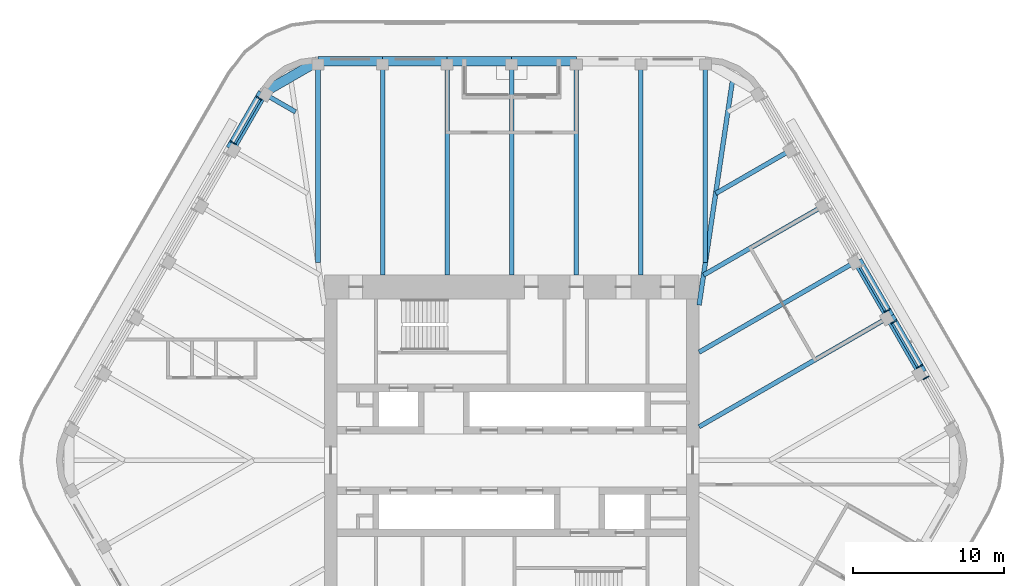
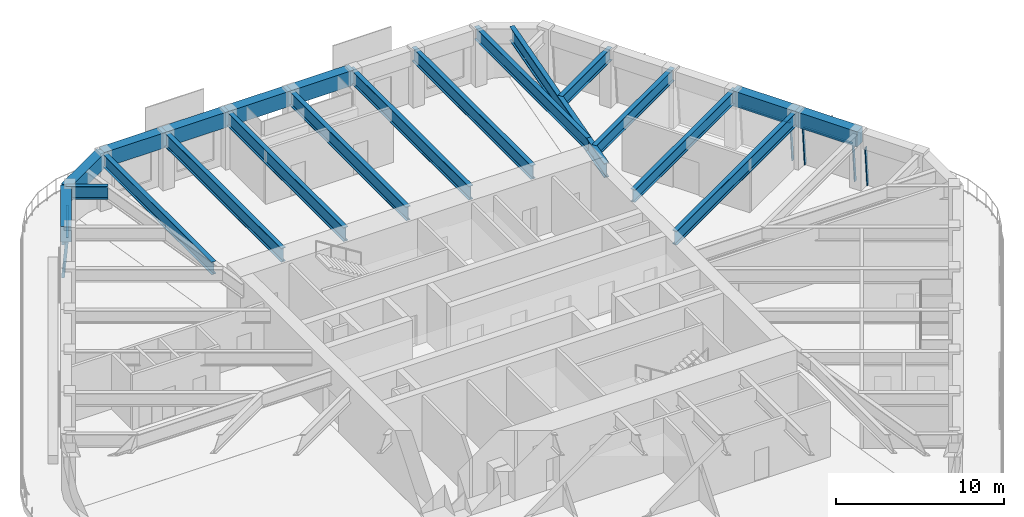
# One storey, part 9 of 20: 21 beams, 9 members, 4 elements without a shape of their own.
"""IFC4 building model written with IfcOpenShell, lengths in metres."""

from ifc_helpers import new_model, si_unit, direction, frame, origin, origin_2d, place, context, subcontext, project, spatial, rectangle, i_section, extrude, material, material_profile, profile_set, type_object, element, aggregate, save


model = new_model("IFC4")

# Units and contexts
model_context = context("Model", 3, precision=1e-05, world=origin(), true_north=direction((0.0, 1.0)))
body_context = subcontext(model_context, "Body", "Model", "MODEL_VIEW")
ifc_project = project(units=[si_unit("LENGTHUNIT", "METRE"), si_unit("AREAUNIT", "SQUARE_METRE"), si_unit("VOLUMEUNIT", "CUBIC_METRE"), si_unit("PLANEANGLEUNIT", "RADIAN"), si_unit("MASSUNIT", "GRAM", prefix="KILO")], contexts=[model_context])

# Site, building, storey
site_placement = place(None, origin())
site = spatial("IfcSite", under=ifc_project, at=site_placement, CompositionType="ELEMENT")
building_placement = place(site_placement, origin())
building = spatial("IfcBuilding", under=site, at=building_placement, Name="Tarfa Lantern Tower", CompositionType="ELEMENT")
storey_placement = place(building_placement, frame((0.0, 0.0, 382.89990234375)))
storey = spatial("IfcBuildingStorey", under=building, at=storey_placement, Name="L87", CompositionType="ELEMENT", Elevation=382.89990234375)

# Curtain wall, member
ifc_material_1 = material(Name="Aluminium framed curtain wall", Category="aluminium")
curtain_wall_type = type_object("IfcCurtainWallType", Name="CW4 CANTED GLAZING EXECUTIVE ZONE 2900", PredefinedType="USERDEFINED", material=ifc_material_1)
curtain_wall_1_placement = place(storey_placement, origin())
curtain_wall_1 = element("IfcCurtainWall", 1, at=curtain_wall_1_placement, inside=storey, type_object=curtain_wall_type, Name="CW4 NE L87", ObjectType="CURTAIN WALL", PredefinedType="USERDEFINED")
ifc_material_2 = material(Name="Aluminium mullion", Category="aluminium")
ifc_material_profile_1 = material_profile(ifc_material_2, rectangle(XDim=0.06494140625, YDim=0.199951171875, at=origin_2d()), Name="AL MULLION 65x200")
ifc_profile_set_1 = profile_set([ifc_material_profile_1], Name="Aluminium mullion")
member_type_1 = type_object("IfcMemberType", Name="CWM1 MULLION 65x200", PredefinedType="MULLION", material=ifc_profile_set_1)
member_1_placement = place(storey_placement, frame((27.577880859375, 5.53369140625, 0.0), z_axis=(-0.074393603155, -0.042941967097, 0.996303959277), x_axis=(0.499919672301, -0.866071776036, 0.0)))
member_1 = element("IfcMember", 2, at=member_1_placement, type_object=member_type_1, Name="CW4 mullion 2", PredefinedType="MULLION", context=body_context, shape_type="SweptSolid", body=[
    extrude(rectangle(XDim=0.06494140625, YDim=0.199951171875, at=origin_2d()), origin(), (0.0, 0.0, 1.0), 2.910888671875),
])
aggregate(curtain_wall_1, [member_1])

# Curtain wall, members
curtain_wall_2_placement = place(storey_placement, origin())
curtain_wall_2 = element("IfcCurtainWall", 3, at=curtain_wall_2_placement, inside=storey, type_object=curtain_wall_type, Name="CW4 NE L87", ObjectType="CURTAIN WALL", PredefinedType="USERDEFINED")
member_2_placement = place(storey_placement, frame((27.145263671875, 6.282958984375, 0.0), z_axis=(-0.074310195522, -0.042942234884, 0.996310172238), x_axis=(0.500342721131, -0.865827443207, 0.0)))
member_2 = element("IfcMember", 4, at=member_2_placement, type_object=member_type_1, Name="CW4 mullion 1", PredefinedType="MULLION", context=body_context, shape_type="SweptSolid", body=[
    extrude(rectangle(XDim=0.06494140625, YDim=0.199951171875, at=origin_2d()), origin(), (0.0, 0.0, 1.0), 2.910888671875),
])
member_3_placement = place(storey_placement, frame((25.436767578125, 9.2421875, 0.0), z_axis=(-0.074393603155, -0.042941967097, 0.996303959277), x_axis=(0.499919672301, -0.866071776036, 0.0)))
member_3 = element("IfcMember", 5, at=member_3_placement, type_object=member_type_1, Name="CW4 mullion 2", PredefinedType="MULLION", context=body_context, shape_type="SweptSolid", body=[
    extrude(rectangle(XDim=0.06494140625, YDim=0.199951171875, at=origin_2d()), origin(), (0.0, 0.0, 1.0), 2.910888671875),
])

# Curtain wall, member
curtain_wall_3_placement = place(storey_placement, origin())
curtain_wall_3 = element("IfcCurtainWall", 6, at=curtain_wall_3_placement, inside=storey, type_object=curtain_wall_type, Name="CW4 NE L87", ObjectType="CURTAIN WALL", PredefinedType="USERDEFINED")
member_4_placement = place(storey_placement, frame((25.00439453125, 9.9912109375, 0.0), z_axis=(-0.074393603155, -0.042941967097, 0.996303959277), x_axis=(0.499919672301, -0.866071776036, 0.0)))
member_4 = element("IfcMember", 7, at=member_4_placement, type_object=member_type_1, Name="CW4 mullion 1", PredefinedType="MULLION", context=body_context, shape_type="SweptSolid", body=[
    extrude(rectangle(XDim=0.06494140625, YDim=0.199951171875, at=origin_2d()), origin(), (0.0, 0.0, 1.0), 2.910888671875),
])

# Curtain wall, members
curtain_wall_4_placement = place(storey_placement, origin())
curtain_wall_4 = element("IfcCurtainWall", 8, at=curtain_wall_4_placement, inside=storey, type_object=curtain_wall_type, Name="CW4 NW L87", ObjectType="CURTAIN WALL", PredefinedType="USERDEFINED")
member_5_placement = place(storey_placement, frame((-16.872802734375, 24.075439453125, 0.0), z_axis=(0.074393603155, -0.042941967097, 0.996303959277), x_axis=(0.499919672301, 0.866071776036, 0.0)))
member_5 = element("IfcMember", 9, at=member_5_placement, type_object=member_type_1, Name="CW4 mullion 1", PredefinedType="MULLION", context=body_context, shape_type="SweptSolid", body=[
    extrude(rectangle(XDim=0.06494140625, YDim=0.199951171875, at=origin_2d()), origin(), (0.0, 0.0, 1.0), 2.910888671875),
])
member_6_placement = place(storey_placement, frame((-18.581298828125, 21.1162109375, 0.0), z_axis=(0.074393603155, -0.042941967097, 0.996303959277), x_axis=(0.499919672301, 0.866071776036, 0.0)))
member_6 = element("IfcMember", 10, at=member_6_placement, type_object=member_type_1, Name="CW4 mullion 2", PredefinedType="MULLION", context=body_context, shape_type="SweptSolid", body=[
    extrude(rectangle(XDim=0.06494140625, YDim=0.199951171875, at=origin_2d()), origin(), (0.0, 0.0, 1.0), 2.910888671875),
])

# Member
ifc_material_3 = material(Name="Aluminium transom", Category="aluminium")
ifc_material_profile_2 = material_profile(ifc_material_3, rectangle(XDim=0.14990234375, YDim=0.06494140625, at=origin_2d()), Name="AL TRANSOM 150x65")
ifc_profile_set_2 = profile_set([ifc_material_profile_2], Name="Aluminium transom")
member_type_2 = type_object("IfcMemberType", Name="CWT1 TRANSOM 150x65", PredefinedType="USERDEFINED", material=ifc_profile_set_2)
member_7_placement = place(storey_placement, frame((26.9150390625, 6.1875, 2.86767578125), z_axis=(-0.500016677412, 0.866015774862, 0.0), x_axis=(-0.866015774862, -0.500016677412, 0.0)))
member_7 = element("IfcMember", 11, at=member_7_placement, type_object=member_type_2, Name="CW4 transom 1.2", ObjectType="TRANSOM", PredefinedType="USERDEFINED", context=body_context, shape_type="SweptSolid", body=[
    extrude(rectangle(XDim=0.14990234375, YDim=0.06494140625, at=origin_2d()), origin(), (0.0, 0.0, 1.0), 3.35205078125),
])

aggregate(curtain_wall_2, [member_2, member_3, member_7])

member_8_placement = place(storey_placement, frame((24.77392578125, 9.895751953125, 2.86767578125), z_axis=(-0.500016677412, 0.866015774862, 0.0), x_axis=(-0.866015774862, -0.500016677412, 0.0)))
member_8 = element("IfcMember", 12, at=member_8_placement, type_object=member_type_2, Name="CW4 transom 1.2", ObjectType="TRANSOM", PredefinedType="USERDEFINED", context=body_context, shape_type="SweptSolid", body=[
    extrude(rectangle(XDim=0.14990234375, YDim=0.06494140625, at=origin_2d()), origin(), (0.0, 0.0, 1.0), 3.35205078125),
])

aggregate(curtain_wall_3, [member_4, member_8])

member_9_placement = place(storey_placement, frame((-16.675048828125, 23.923583984375, 2.86767578125), z_axis=(-0.500016677412, -0.866015774862, 0.0), x_axis=(0.866015774862, -0.500016677412, 0.0)))
member_9 = element("IfcMember", 13, at=member_9_placement, type_object=member_type_2, Name="CW4 transom 1.2", ObjectType="TRANSOM", PredefinedType="USERDEFINED", context=body_context, shape_type="SweptSolid", body=[
    extrude(rectangle(XDim=0.14990234375, YDim=0.06494140625, at=origin_2d()), origin(), (0.0, 0.0, 1.0), 3.35205078125),
])

aggregate(curtain_wall_4, [member_5, member_6, member_9])

# Beams
ifc_material_4 = material(Name="Concrete C80/95", Category="concrete")
ifc_material_profile_3 = material_profile(ifc_material_4, rectangle(XDim=0.64990234375, YDim=1.10009765625, at=origin_2d()), Name="RC 650x1100")
ifc_profile_set_3 = profile_set([ifc_material_profile_3], Name="Concrete C80/95")
beam_type_1 = type_object("IfcBeamType", Name="EB4 RC 650x1100", PredefinedType="SPANDREL", material=ifc_profile_set_3)
beam_1_placement = place(storey_placement, frame((27.205810546875, 5.818359375, 3.4501953125), z_axis=(-0.500026801138, 0.866009929587, 0.0), x_axis=(-0.866009929587, -0.500026801138, 0.0)))
element("IfcBeam", 14, at=beam_1_placement, inside=storey, type_object=beam_type_1, Name="Edge beam NE1", PredefinedType="SPANDREL", context=body_context, shape_type="SweptSolid", body=[
    extrude(rectangle(XDim=0.64990234375, YDim=1.10009765625, at=origin_2d()), origin(), (0.0, 0.0, 1.0), 4.281982421875),
])
beam_2_placement = place(storey_placement, frame((25.064697265625, 9.526611328125, 3.4501953125), z_axis=(-0.500002112793, 0.866024183959, 0.0), x_axis=(-0.866024183959, -0.500002112793, 0.0)))
element("IfcBeam", 15, at=beam_2_placement, inside=storey, type_object=beam_type_1, Name="Edge beam NE2", PredefinedType="SPANDREL", context=body_context, shape_type="SweptSolid", body=[
    extrude(rectangle(XDim=0.64990234375, YDim=1.10009765625, at=origin_2d()), origin(), (0.0, 0.0, 1.0), 4.2822265625),
])
for number, where, z_axis, x_axis, name in (
    (16, (4.281982421875, 26.469970703125, 3.4501953125), (-1.0, 0.0, 0.0), (0.0, -1.0, 0.0), "Edge beam N2"),
    (17, (0.0, 26.469970703125, 3.4501953125), (-1.0, 0.0, 0.0), (0.0, -1.0, 0.0), "Edge beam N3"),
    (18, (-4.281982421875, 26.469970703125, 3.4501953125), (-1.0, 0.0, 0.0), (0.0, -1.0, 0.0), "Edge beam N4"),
    (19, (-8.56396484375, 26.469970703125, 3.4501953125), (-1.0, 0.0, 0.0), (0.0, -1.0, 0.0), "Edge beam N5"),
):
    element("IfcBeam", number, at=place(storey_placement, frame(where, z_axis=z_axis, x_axis=x_axis)), inside=storey, type_object=beam_type_1, Name=name, PredefinedType="SPANDREL", context=body_context, shape_type="SweptSolid", body=[
        extrude(rectangle(XDim=0.64990234375, YDim=1.10009765625, at=origin_2d()), origin(), (0.0, 0.0, 1.0), 4.281982421875),
    ])
beam_3_placement = place(storey_placement, frame((-12.845947265625, 26.469970703125, 3.4501953125), z_axis=(-0.866048788483, -0.499959494327, 0.0), x_axis=(0.499959494327, -0.866048788483, 0.0)))
element("IfcBeam", 20, at=beam_3_placement, inside=storey, type_object=beam_type_1, Name="Edge beam N6", PredefinedType="SPANDREL", context=body_context, shape_type="SweptSolid", body=[
    extrude(rectangle(XDim=0.64990234375, YDim=1.10009765625, at=origin_2d()), origin(), (0.0, 0.0, 1.0), 4.219970703125),
])
beam_4_placement = place(storey_placement, frame((-16.500732421875, 24.360107421875, 3.4501953125), z_axis=(-0.499959351497, -0.866048870937, 0.0), x_axis=(0.866048870937, -0.499959351497, 0.0)))
element("IfcBeam", 21, at=beam_4_placement, inside=storey, type_object=beam_type_1, Name="Edge beam NW0", PredefinedType="SPANDREL", context=body_context, shape_type="SweptSolid", body=[
    extrude(rectangle(XDim=0.64990234375, YDim=1.10009765625, at=origin_2d()), origin(), (0.0, 0.0, 1.0), 4.281982421875),
])
ifc_material_5 = material(Name="Steel S460M", Category="steel")
ifc_material_profile_4 = material_profile(ifc_material_5, i_section(OverallWidth=0.302001953125, OverallDepth=1.008056640625, WebThickness=0.02099609375, FlangeThickness=0.0400390625, FilletRadius=0.030029296875, at=origin_2d()), Name="UB1016x305x349")
ifc_profile_set_4 = profile_set([ifc_material_profile_4], Name="Steel S460M")
beam_type_2 = type_object("IfcBeamType", Name="UB1016x305x349", PredefinedType="BEAM", material=ifc_profile_set_4)
beam_5_placement = place(storey_placement, frame((25.064697265625, 9.526611328125, 3.49609375), z_axis=(-0.866029591389, -0.499992746786, 0.0), x_axis=(0.499992746786, -0.866029591389, 0.0)))
element("IfcBeam", 22, at=beam_5_placement, inside=storey, type_object=beam_type_2, Name="Floor beam NE2", PredefinedType="BEAM", context=body_context, shape_type="SweptSolid", body=[
    extrude(i_section(OverallWidth=0.302001953125, OverallDepth=1.008056640625, WebThickness=0.02099609375, FlangeThickness=0.0400390625, FilletRadius=0.030029296875, at=origin_2d()), origin(), (0.0, 0.0, 1.0), 14.594970703125),
])
for number, where, z_axis, x_axis, name in (
    (23, (8.56396484375, 26.469970703125, 3.49609375), (0.0, -1.0, 0.0), (1.0, 0.0, 0.0), "Floor beam N1"),
    (24, (4.281982421875, 26.469970703125, 3.49609375), (0.0, -1.0, 0.0), (1.0, 0.0, 0.0), "Floor beam N2"),
    (25, (0.0, 26.469970703125, 3.49609375), (0.0, -1.0, 0.0), (1.0, 0.0, 0.0), "Floor beam N3"),
    (26, (-4.281982421875, 26.469970703125, 3.49609375), (0.0, -1.0, 0.0), (1.0, 0.0, 0.0), "Floor beam N4"),
    (27, (-8.56396484375, 26.469970703125, 3.49609375), (0.0, -1.0, 0.0), (1.0, 0.0, 0.0), "Floor beam N5"),
):
    element("IfcBeam", number, at=place(storey_placement, frame(where, z_axis=z_axis, x_axis=x_axis)), inside=storey, type_object=beam_type_2, Name=name, PredefinedType="BEAM", context=body_context, shape_type="SweptSolid", body=[
        extrude(i_section(OverallWidth=0.302001953125, OverallDepth=1.008056640625, WebThickness=0.02099609375, FlangeThickness=0.0400390625, FilletRadius=0.030029296875, at=origin_2d()), origin(), (0.0, 0.0, 1.0), 14.169921875),
    ])
ifc_material_profile_5 = material_profile(ifc_material_5, i_section(OverallWidth=0.30859375, OverallDepth=1.036376953125, WebThickness=0.030029296875, FlangeThickness=0.05419921875, FilletRadius=0.030029296875, at=origin_2d()), Name="UB1016x305x487")
ifc_profile_set_5 = profile_set([ifc_material_profile_5], Name="Steel S460M")
beam_type_3 = type_object("IfcBeamType", Name="UB1016x305x487", PredefinedType="BEAM", material=ifc_profile_set_5)
beam_6_placement = place(storey_placement, frame((12.425048828125, 10.300048828125, 3.48193359375), z_axis=(0.147127069073, 0.989117599452, 0.0), x_axis=(-0.989117599452, 0.147127069073, 0.0)))
element("IfcBeam", 28, at=beam_6_placement, inside=storey, type_object=beam_type_3, Name="Hip girder NE", PredefinedType="BEAM", context=body_context, shape_type="SweptSolid", body=[
    extrude(i_section(OverallWidth=0.30859375, OverallDepth=1.036376953125, WebThickness=0.030029296875, FlangeThickness=0.05419921875, FilletRadius=0.030029296875, at=origin_2d()), origin(), (0.0, 0.0, 1.0), 15.28125),
])
ifc_material_profile_6 = material_profile(ifc_material_5, i_section(OverallWidth=0.305419921875, OverallDepth=0.91845703125, WebThickness=0.017333984375, FlangeThickness=0.02783203125, FilletRadius=0.01904296875, at=origin_2d()), Name="UB914x305x253")
ifc_profile_set_6 = profile_set([ifc_material_profile_6], Name="Steel S460M")
beam_type_4 = type_object("IfcBeamType", Name="UB914x305x253", PredefinedType="BEAM", material=ifc_profile_set_6)
beam_7_placement = place(storey_placement, frame((22.923583984375, 13.235107421875, 3.541015625), z_axis=(-0.86601856927, -0.500011837539, 0.0), x_axis=(0.500011837539, -0.86601856927, 0.0)))
element("IfcBeam", 29, at=beam_7_placement, inside=storey, type_object=beam_type_4, Name="Floor beam NE3", PredefinedType="BEAM", context=body_context, shape_type="SweptSolid", body=[
    extrude(i_section(OverallWidth=0.305419921875, OverallDepth=0.91845703125, WebThickness=0.017333984375, FlangeThickness=0.02783203125, FilletRadius=0.01904296875, at=origin_2d()), origin(), (0.0, 0.0, 1.0), 12.122802734375),
])
beam_8_placement = place(storey_placement, frame((20.78271484375, 16.943359375, 3.541015625), z_axis=(-0.866021806508, -0.500006230613, 0.0), x_axis=(0.500006230613, -0.866021806508, 0.0)))
element("IfcBeam", 30, at=beam_8_placement, inside=storey, type_object=beam_type_4, Name="Floor beam NE4", PredefinedType="BEAM", context=body_context, shape_type="SweptSolid", body=[
    extrude(i_section(OverallWidth=0.305419921875, OverallDepth=0.91845703125, WebThickness=0.017333984375, FlangeThickness=0.02783203125, FilletRadius=0.01904296875, at=origin_2d()), origin(), (0.0, 0.0, 1.0), 9.30908203125),
])
beam_9_placement = place(storey_placement, frame((18.6416015625, 20.651611328125, 3.541015625), z_axis=(-0.866024549157, -0.500001480256, 0.0), x_axis=(0.500001480256, -0.866024549157, 0.0)))
element("IfcBeam", 31, at=beam_9_placement, inside=storey, type_object=beam_type_4, Name="Floor beam NE5", PredefinedType="BEAM", context=body_context, shape_type="SweptSolid", body=[
    extrude(i_section(OverallWidth=0.305419921875, OverallDepth=0.91845703125, WebThickness=0.017333984375, FlangeThickness=0.02783203125, FilletRadius=0.01904296875, at=origin_2d()), origin(), (0.0, 0.0, 1.0), 5.90771484375),
])
for number, where, z_axis, x_axis, name in (
    (32, (12.845947265625, 26.469970703125, 3.541015625), (0.0, -1.0, 0.0), (1.0, 0.0, 0.0), "Floor beam N0"),
    (33, (-12.845947265625, 26.469970703125, 3.541015625), (0.0, -1.0, 0.0), (1.0, 0.0, 0.0), "Floor beam N6"),
):
    element("IfcBeam", number, at=place(storey_placement, frame(where, z_axis=z_axis, x_axis=x_axis)), inside=storey, type_object=beam_type_4, Name=name, PredefinedType="BEAM", context=body_context, shape_type="SweptSolid", body=[
        extrude(i_section(OverallWidth=0.305419921875, OverallDepth=0.91845703125, WebThickness=0.017333984375, FlangeThickness=0.02783203125, FilletRadius=0.01904296875, at=origin_2d()), origin(), (0.0, 0.0, 1.0), 13.33935546875),
    ])
beam_10_placement = place(storey_placement, frame((-16.500732421875, 24.360107421875, 3.541015625), z_axis=(0.865992557167, -0.500056887695, 0.0), x_axis=(0.500056887695, 0.865992557167, 0.0)))
element("IfcBeam", 34, at=beam_10_placement, inside=storey, type_object=beam_type_4, Name="Floor beam NW0", PredefinedType="BEAM", context=body_context, shape_type="SweptSolid", body=[
    extrude(i_section(OverallWidth=0.305419921875, OverallDepth=0.91845703125, WebThickness=0.017333984375, FlangeThickness=0.02783203125, FilletRadius=0.01904296875, at=origin_2d()), origin(), (0.0, 0.0, 1.0), 2.506591796875),
])

save(model, "model.ifc")
